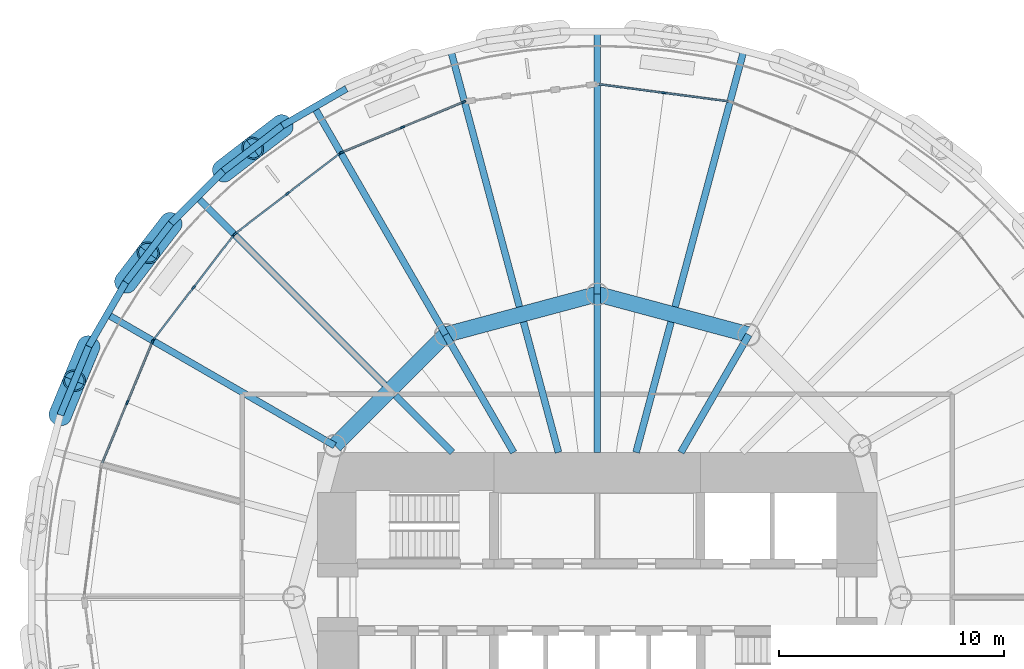
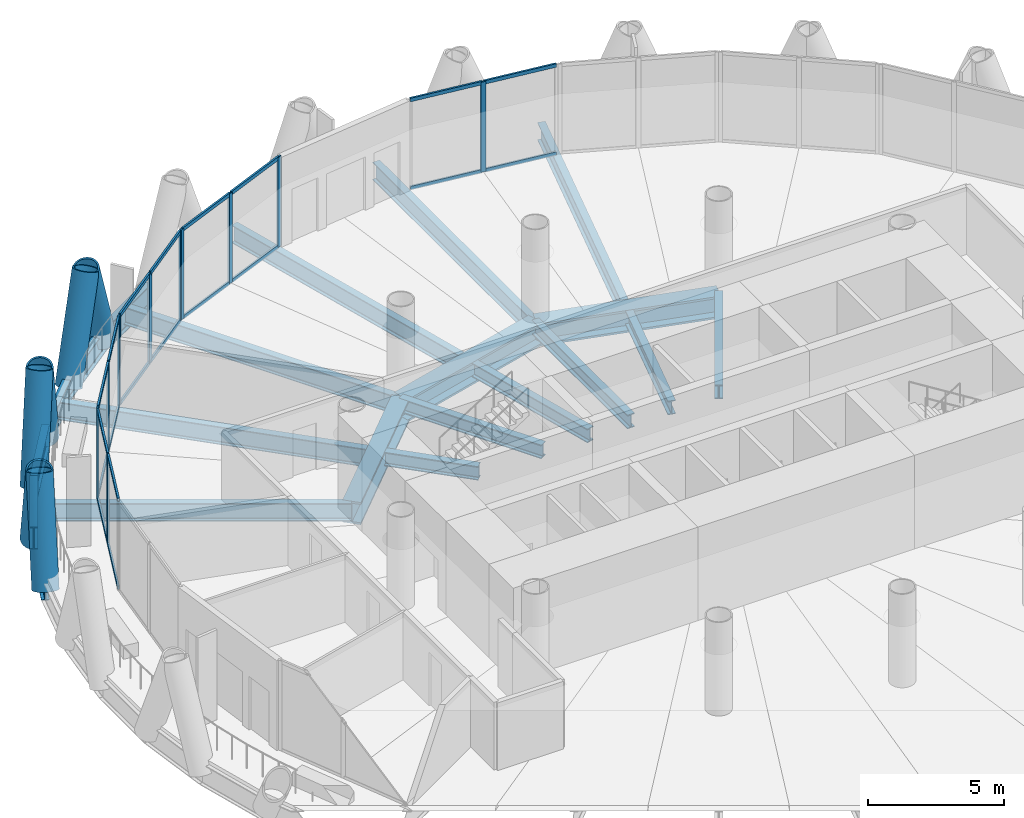
# One storey, part 6 of 15: 38 members, 21 beams, 5 elements without a shape of their own.
"""IFC4 building model written with IfcOpenShell, lengths in metres."""

from ifc_helpers import new_model, si_unit, direction, frame, origin, origin_2d, place, context, subcontext, project, spatial, rectangle, hollow_circle, i_section, extrude, material, material_profile, profile_set, type_object, element, aggregate, save


model = new_model("IFC4")

# Units and contexts
model_context = context("Model", 3, precision=1e-05, world=origin(), true_north=direction((0.0, 1.0)))
body_context = subcontext(model_context, "Body", "Model", "MODEL_VIEW")
ifc_project = project(units=[si_unit("LENGTHUNIT", "METRE"), si_unit("AREAUNIT", "SQUARE_METRE"), si_unit("VOLUMEUNIT", "CUBIC_METRE"), si_unit("PLANEANGLEUNIT", "RADIAN"), si_unit("MASSUNIT", "GRAM", prefix="KILO")], contexts=[model_context])

# Site, building, storey
site_placement = place(None, origin())
site = spatial("IfcSite", under=ifc_project, at=site_placement, CompositionType="ELEMENT")
building_placement = place(site_placement, origin())
building = spatial("IfcBuilding", under=site, at=building_placement, Name="Qaws Media Tower", CompositionType="ELEMENT")
storey_placement = place(building_placement, frame((0.0, 0.0, 114.199951171875)))
storey = spatial("IfcBuildingStorey", under=building, at=storey_placement, Name="L25", CompositionType="ELEMENT", Elevation=114.199951171875)

# Curtain wall, member
ifc_material_1 = material(Name="Aluminium and clear glass", Category="aluminium")
curtain_wall_type = type_object("IfcCurtainWallType", Name="Unitised curtain wall CW-B", PredefinedType="NOTDEFINED", material=ifc_material_1)
curtain_wall_1_placement = place(storey_placement, origin())
curtain_wall_1 = element("IfcCurtainWall", 1, at=curtain_wall_1_placement, inside=storey, type_object=curtain_wall_type, Name="CWB curtain wall L25-06", PredefinedType="NOTDEFINED")
ifc_material_2 = material(Name="Aluminium mullion", Category="aluminium")
ifc_material_profile_1 = material_profile(ifc_material_2, rectangle(XDim=0.080078125, YDim=0.199951171875, at=origin_2d()), Name="80x200")
ifc_profile_set_1 = profile_set([ifc_material_profile_1], Name="Aluminium mullion")
member_type_1 = type_object("IfcMemberType", Name="Curtain wall mullion 80x200", PredefinedType="MULLION", material=ifc_profile_set_1)
member_1_placement = place(storey_placement, frame((62.95703125, 72.460693359375, 0.0), z_axis=(0.0, 0.0, 1.0), x_axis=(-0.130526217674, -0.991444858023, 0.0)))
member_1 = element("IfcMember", 2, at=member_1_placement, type_object=member_type_1, Name="CWB mullion 2", PredefinedType="MULLION", context=body_context, shape_type="SweptSolid", body=[
    extrude(rectangle(XDim=0.080078125, YDim=0.199951171875, at=origin_2d()), origin(), (0.0, 0.0, 1.0), 4.0400390625),
])

# Curtain wall, members
curtain_wall_2_placement = place(storey_placement, origin())
curtain_wall_2 = element("IfcCurtainWall", 3, at=curtain_wall_2_placement, inside=storey, type_object=curtain_wall_type, Name="CWB curtain wall L25-08", PredefinedType="NOTDEFINED")
member_2_placement = place(storey_placement, frame((54.049072265625, 72.05615234375, 0.0), z_axis=(0.0, 0.0, 1.0), x_axis=(0.382683471145, -0.923879516448, 0.0)))
member_2 = element("IfcMember", 4, at=member_2_placement, type_object=member_type_1, Name="CWB mullion 1", PredefinedType="MULLION", context=body_context, shape_type="SweptSolid", body=[
    extrude(rectangle(XDim=0.080078125, YDim=0.199951171875, at=origin_2d()), origin(), (0.0, 0.0, 1.0), 4.0400390625),
])
member_3_placement = place(storey_placement, frame((51.33056640625, 70.929931640625, 0.0), z_axis=(0.0, 0.0, 1.0), x_axis=(0.382683471145, -0.923879516448, 0.0)))
member_3 = element("IfcMember", 5, at=member_3_placement, type_object=member_type_1, Name="CWB mullion 2", PredefinedType="MULLION", context=body_context, shape_type="SweptSolid", body=[
    extrude(rectangle(XDim=0.080078125, YDim=0.199951171875, at=origin_2d()), origin(), (0.0, 0.0, 1.0), 4.0400390625),
])
member_4_placement = place(storey_placement, frame((48.612060546875, 69.803955078125, 0.0), z_axis=(0.0, 0.0, 1.0), x_axis=(0.382683471145, -0.923879516448, 0.0)))
member_4 = element("IfcMember", 6, at=member_4_placement, type_object=member_type_1, Name="CWB mullion 3", PredefinedType="MULLION", context=body_context, shape_type="SweptSolid", body=[
    extrude(rectangle(XDim=0.080078125, YDim=0.199951171875, at=origin_2d()), origin(), (0.0, 0.0, 1.0), 4.0400390625),
])

curtain_wall_3_placement = place(storey_placement, origin())
curtain_wall_3 = element("IfcCurtainWall", 7, at=curtain_wall_3_placement, inside=storey, type_object=curtain_wall_type, Name="CWB curtain wall L25-09", PredefinedType="NOTDEFINED")
member_5_placement = place(storey_placement, frame((48.543212890625, 69.764404296875, 0.0), z_axis=(0.0, 0.0, 1.0), x_axis=(0.608761369427, -0.79335338601, 0.0)))
member_5 = element("IfcMember", 8, at=member_5_placement, type_object=member_type_1, Name="CWB mullion 1", PredefinedType="MULLION", context=body_context, shape_type="SweptSolid", body=[
    extrude(rectangle(XDim=0.080078125, YDim=0.199951171875, at=origin_2d()), origin(), (0.0, 0.0, 1.0), 4.0400390625),
])
member_6_placement = place(storey_placement, frame((46.208740234375, 67.97314453125, 0.0), z_axis=(0.0, 0.0, 1.0), x_axis=(0.608761369427, -0.79335338601, 0.0)))
member_6 = element("IfcMember", 9, at=member_6_placement, type_object=member_type_1, Name="CWB mullion 2", PredefinedType="MULLION", context=body_context, shape_type="SweptSolid", body=[
    extrude(rectangle(XDim=0.080078125, YDim=0.199951171875, at=origin_2d()), origin(), (0.0, 0.0, 1.0), 4.0400390625),
])
member_7_placement = place(storey_placement, frame((43.874267578125, 66.181640625, 0.0), z_axis=(0.0, 0.0, 1.0), x_axis=(0.608761369427, -0.79335338601, 0.0)))
member_7 = element("IfcMember", 10, at=member_7_placement, type_object=member_type_1, Name="CWB mullion 3", PredefinedType="MULLION", context=body_context, shape_type="SweptSolid", body=[
    extrude(rectangle(XDim=0.080078125, YDim=0.199951171875, at=origin_2d()), origin(), (0.0, 0.0, 1.0), 4.0400390625),
])

curtain_wall_4_placement = place(storey_placement, origin())
curtain_wall_4 = element("IfcCurtainWall", 11, at=curtain_wall_4_placement, inside=storey, type_object=curtain_wall_type, Name="CWB curtain wall L25-10", PredefinedType="NOTDEFINED")
member_8_placement = place(storey_placement, frame((43.818359375, 66.125732421875, 0.0), z_axis=(0.0, 0.0, 1.0), x_axis=(0.79335338601, -0.608761369427, 0.0)))
member_8 = element("IfcMember", 12, at=member_8_placement, type_object=member_type_1, Name="CWB mullion 1", PredefinedType="MULLION", context=body_context, shape_type="SweptSolid", body=[
    extrude(rectangle(XDim=0.080078125, YDim=0.199951171875, at=origin_2d()), origin(), (0.0, 0.0, 1.0), 4.0400390625),
])
member_9_placement = place(storey_placement, frame((42.02685546875, 63.791259765625, 0.0), z_axis=(0.0, 0.0, 1.0), x_axis=(0.79335338601, -0.608761369427, 0.0)))
member_9 = element("IfcMember", 13, at=member_9_placement, type_object=member_type_1, Name="CWB mullion 2", PredefinedType="MULLION", context=body_context, shape_type="SweptSolid", body=[
    extrude(rectangle(XDim=0.080078125, YDim=0.199951171875, at=origin_2d()), origin(), (0.0, 0.0, 1.0), 4.0400390625),
])
member_10_placement = place(storey_placement, frame((40.235595703125, 61.456787109375, 0.0), z_axis=(0.0, 0.0, 1.0), x_axis=(0.79335338601, -0.608761369427, 0.0)))
member_10 = element("IfcMember", 14, at=member_10_placement, type_object=member_type_1, Name="CWB mullion 3", PredefinedType="MULLION", context=body_context, shape_type="SweptSolid", body=[
    extrude(rectangle(XDim=0.080078125, YDim=0.199951171875, at=origin_2d()), origin(), (0.0, 0.0, 1.0), 4.0400390625),
])

curtain_wall_5_placement = place(storey_placement, origin())
curtain_wall_5 = element("IfcCurtainWall", 15, at=curtain_wall_5_placement, inside=storey, type_object=curtain_wall_type, Name="CWB curtain wall L25-11", PredefinedType="NOTDEFINED")
member_11_placement = place(storey_placement, frame((40.196044921875, 61.387939453125, 0.0), z_axis=(0.0, 0.0, 1.0), x_axis=(0.923879516448, -0.382683471145, 0.0)))
member_11 = element("IfcMember", 16, at=member_11_placement, type_object=member_type_1, Name="CWB mullion 1", PredefinedType="MULLION", context=body_context, shape_type="SweptSolid", body=[
    extrude(rectangle(XDim=0.080078125, YDim=0.199951171875, at=origin_2d()), origin(), (0.0, 0.0, 1.0), 4.0400390625),
])
member_12_placement = place(storey_placement, frame((39.070068359375, 58.66943359375, 0.0), z_axis=(0.0, 0.0, 1.0), x_axis=(0.923879516448, -0.382683471145, 0.0)))
member_12 = element("IfcMember", 17, at=member_12_placement, type_object=member_type_1, Name="CWB mullion 2", PredefinedType="MULLION", context=body_context, shape_type="SweptSolid", body=[
    extrude(rectangle(XDim=0.080078125, YDim=0.199951171875, at=origin_2d()), origin(), (0.0, 0.0, 1.0), 4.0400390625),
])

# Member
ifc_material_3 = material(Name="Aluminium transom", Category="aluminium")
ifc_material_profile_2 = material_profile(ifc_material_3, rectangle(XDim=0.080078125, YDim=0.159912109375, at=origin_2d()), Name="80x160")
ifc_profile_set_2 = profile_set([ifc_material_profile_2], Name="Aluminium transom")
member_type_2 = type_object("IfcMemberType", Name="Curtain wall transom 80x160", PredefinedType="USERDEFINED", material=ifc_profile_set_2)
member_13_placement = place(storey_placement, frame((65.834716796875, 72.081787109375, 0.0400390625), z_axis=(-0.991438903663, 0.130571437549, 0.0), x_axis=(-0.130571437549, -0.991438903663, 0.0)))
member_13 = element("IfcMember", 18, at=member_13_placement, type_object=member_type_2, Name="CWB transom 1.1", ObjectType="TRANSOM", PredefinedType="USERDEFINED", context=body_context, shape_type="SweptSolid", body=[
    extrude(rectangle(XDim=0.080078125, YDim=0.159912109375, at=origin_2d()), origin(), (0.0, 0.0, 1.0), 2.862548828125),
])

member_14_placement = place(storey_placement, frame((65.834716796875, 72.081787109375, 4.0), z_axis=(-0.991438903663, 0.130571437549, 0.0), x_axis=(-0.130571437549, -0.991438903663, 0.0)))
member_14 = element("IfcMember", 19, at=member_14_placement, type_object=member_type_2, Name="CWB transom 1.2", ObjectType="TRANSOM", PredefinedType="USERDEFINED", context=body_context, shape_type="SweptSolid", body=[
    extrude(rectangle(XDim=0.080078125, YDim=0.159912109375, at=origin_2d()), origin(), (0.0, 0.0, 1.0), 2.862548828125),
])

member_15_placement = place(storey_placement, frame((62.917236328125, 72.4658203125, 0.0400390625), z_axis=(-0.991437449462, 0.130582478934, 0.0), x_axis=(-0.130582478934, -0.991437449462, 0.0)))
member_15 = element("IfcMember", 20, at=member_15_placement, type_object=member_type_2, Name="CWB transom 2.1", ObjectType="TRANSOM", PredefinedType="USERDEFINED", context=body_context, shape_type="SweptSolid", body=[
    extrude(rectangle(XDim=0.080078125, YDim=0.159912109375, at=origin_2d()), origin(), (0.0, 0.0, 1.0), 2.8623046875),
])

member_16_placement = place(storey_placement, frame((62.917236328125, 72.4658203125, 4.0), z_axis=(-0.991437449462, 0.130582478934, 0.0), x_axis=(-0.130582478934, -0.991437449462, 0.0)))
member_16 = element("IfcMember", 21, at=member_16_placement, type_object=member_type_2, Name="CWB transom 2.2", ObjectType="TRANSOM", PredefinedType="USERDEFINED", context=body_context, shape_type="SweptSolid", body=[
    extrude(rectangle(XDim=0.080078125, YDim=0.159912109375, at=origin_2d()), origin(), (0.0, 0.0, 1.0), 2.8623046875),
])

aggregate(curtain_wall_1, [member_1, member_13, member_14, member_15, member_16])

member_17_placement = place(storey_placement, frame((54.011962890625, 72.040771484375, 0.0400390625), z_axis=(-0.923872334596, -0.382700809207, 0.0), x_axis=(0.382700809207, -0.923872334596, 0.0)))
member_17 = element("IfcMember", 22, at=member_17_placement, type_object=member_type_2, Name="CWB transom 1.1", ObjectType="TRANSOM", PredefinedType="USERDEFINED", context=body_context, shape_type="SweptSolid", body=[
    extrude(rectangle(XDim=0.080078125, YDim=0.159912109375, at=origin_2d()), origin(), (0.0, 0.0, 1.0), 2.862548828125),
])

member_18_placement = place(storey_placement, frame((54.011962890625, 72.040771484375, 4.0), z_axis=(-0.923872334596, -0.382700809207, 0.0), x_axis=(0.382700809207, -0.923872334596, 0.0)))
member_18 = element("IfcMember", 23, at=member_18_placement, type_object=member_type_2, Name="CWB transom 1.2", ObjectType="TRANSOM", PredefinedType="USERDEFINED", context=body_context, shape_type="SweptSolid", body=[
    extrude(rectangle(XDim=0.080078125, YDim=0.159912109375, at=origin_2d()), origin(), (0.0, 0.0, 1.0), 2.862548828125),
])

member_19_placement = place(storey_placement, frame((51.29345703125, 70.914794921875, 0.0400390625), z_axis=(-0.923872334596, -0.382700809207, 0.0), x_axis=(0.382700809207, -0.923872334596, 0.0)))
member_19 = element("IfcMember", 24, at=member_19_placement, type_object=member_type_2, Name="CWB transom 2.1", ObjectType="TRANSOM", PredefinedType="USERDEFINED", context=body_context, shape_type="SweptSolid", body=[
    extrude(rectangle(XDim=0.080078125, YDim=0.159912109375, at=origin_2d()), origin(), (0.0, 0.0, 1.0), 2.862548828125),
])

member_20_placement = place(storey_placement, frame((51.29345703125, 70.914794921875, 4.0), z_axis=(-0.923872334596, -0.382700809207, 0.0), x_axis=(0.382700809207, -0.923872334596, 0.0)))
member_20 = element("IfcMember", 25, at=member_20_placement, type_object=member_type_2, Name="CWB transom 2.2", ObjectType="TRANSOM", PredefinedType="USERDEFINED", context=body_context, shape_type="SweptSolid", body=[
    extrude(rectangle(XDim=0.080078125, YDim=0.159912109375, at=origin_2d()), origin(), (0.0, 0.0, 1.0), 2.862548828125),
])

aggregate(curtain_wall_2, [member_2, member_3, member_4, member_17, member_18, member_19, member_20])

member_21_placement = place(storey_placement, frame((48.511474609375, 69.739990234375, 0.0400390625), z_axis=(-0.793339979648, -0.608778840543, 0.0), x_axis=(0.608778840543, -0.793339979648, 0.0)))
member_21 = element("IfcMember", 26, at=member_21_placement, type_object=member_type_2, Name="CWB transom 1.1", ObjectType="TRANSOM", PredefinedType="USERDEFINED", context=body_context, shape_type="SweptSolid", body=[
    extrude(rectangle(XDim=0.080078125, YDim=0.159912109375, at=origin_2d()), origin(), (0.0, 0.0, 1.0), 2.862548828125),
])

member_22_placement = place(storey_placement, frame((48.511474609375, 69.739990234375, 4.0), z_axis=(-0.793339979648, -0.608778840543, 0.0), x_axis=(0.608778840543, -0.793339979648, 0.0)))
member_22 = element("IfcMember", 27, at=member_22_placement, type_object=member_type_2, Name="CWB transom 1.2", ObjectType="TRANSOM", PredefinedType="USERDEFINED", context=body_context, shape_type="SweptSolid", body=[
    extrude(rectangle(XDim=0.080078125, YDim=0.159912109375, at=origin_2d()), origin(), (0.0, 0.0, 1.0), 2.862548828125),
])

member_23_placement = place(storey_placement, frame((46.177001953125, 67.94873046875, 0.0400390625), z_axis=(-0.793339979648, -0.608778840543, 0.0), x_axis=(0.608778840543, -0.793339979648, 0.0)))
member_23 = element("IfcMember", 28, at=member_23_placement, type_object=member_type_2, Name="CWB transom 2.1", ObjectType="TRANSOM", PredefinedType="USERDEFINED", context=body_context, shape_type="SweptSolid", body=[
    extrude(rectangle(XDim=0.080078125, YDim=0.159912109375, at=origin_2d()), origin(), (0.0, 0.0, 1.0), 2.862548828125),
])

member_24_placement = place(storey_placement, frame((46.177001953125, 67.94873046875, 4.0), z_axis=(-0.793339979648, -0.608778840543, 0.0), x_axis=(0.608778840543, -0.793339979648, 0.0)))
member_24 = element("IfcMember", 29, at=member_24_placement, type_object=member_type_2, Name="CWB transom 2.2", ObjectType="TRANSOM", PredefinedType="USERDEFINED", context=body_context, shape_type="SweptSolid", body=[
    extrude(rectangle(XDim=0.080078125, YDim=0.159912109375, at=origin_2d()), origin(), (0.0, 0.0, 1.0), 2.862548828125),
])

aggregate(curtain_wall_3, [member_5, member_6, member_7, member_21, member_22, member_23, member_24])

member_25_placement = place(storey_placement, frame((43.7939453125, 66.093994140625, 0.0400390625), z_axis=(-0.608778840543, -0.793339979648, 0.0), x_axis=(0.793339979648, -0.608778840543, 0.0)))
member_25 = element("IfcMember", 30, at=member_25_placement, type_object=member_type_2, Name="CWB transom 1.1", ObjectType="TRANSOM", PredefinedType="USERDEFINED", context=body_context, shape_type="SweptSolid", body=[
    extrude(rectangle(XDim=0.080078125, YDim=0.159912109375, at=origin_2d()), origin(), (0.0, 0.0, 1.0), 2.862548828125),
])

member_26_placement = place(storey_placement, frame((43.7939453125, 66.093994140625, 4.0), z_axis=(-0.608778840543, -0.793339979648, 0.0), x_axis=(0.793339979648, -0.608778840543, 0.0)))
member_26 = element("IfcMember", 31, at=member_26_placement, type_object=member_type_2, Name="CWB transom 1.2", ObjectType="TRANSOM", PredefinedType="USERDEFINED", context=body_context, shape_type="SweptSolid", body=[
    extrude(rectangle(XDim=0.080078125, YDim=0.159912109375, at=origin_2d()), origin(), (0.0, 0.0, 1.0), 2.862548828125),
])

member_27_placement = place(storey_placement, frame((42.002685546875, 63.759521484375, 0.0400390625), z_axis=(-0.608778840543, -0.793339979648, 0.0), x_axis=(0.793339979648, -0.608778840543, 0.0)))
member_27 = element("IfcMember", 32, at=member_27_placement, type_object=member_type_2, Name="CWB transom 2.1", ObjectType="TRANSOM", PredefinedType="USERDEFINED", context=body_context, shape_type="SweptSolid", body=[
    extrude(rectangle(XDim=0.080078125, YDim=0.159912109375, at=origin_2d()), origin(), (0.0, 0.0, 1.0), 2.862548828125),
])

member_28_placement = place(storey_placement, frame((42.002685546875, 63.759521484375, 4.0), z_axis=(-0.608778840543, -0.793339979648, 0.0), x_axis=(0.793339979648, -0.608778840543, 0.0)))
member_28 = element("IfcMember", 33, at=member_28_placement, type_object=member_type_2, Name="CWB transom 2.2", ObjectType="TRANSOM", PredefinedType="USERDEFINED", context=body_context, shape_type="SweptSolid", body=[
    extrude(rectangle(XDim=0.080078125, YDim=0.159912109375, at=origin_2d()), origin(), (0.0, 0.0, 1.0), 2.862548828125),
])

aggregate(curtain_wall_4, [member_8, member_9, member_10, member_25, member_26, member_27, member_28])

member_29_placement = place(storey_placement, frame((40.1806640625, 61.35107421875, 0.0400390625), z_axis=(-0.382700809207, -0.923872334596, 0.0), x_axis=(0.923872334596, -0.382700809207, 0.0)))
member_29 = element("IfcMember", 34, at=member_29_placement, type_object=member_type_2, Name="CWB transom 1.1", ObjectType="TRANSOM", PredefinedType="USERDEFINED", context=body_context, shape_type="SweptSolid", body=[
    extrude(rectangle(XDim=0.080078125, YDim=0.159912109375, at=origin_2d()), origin(), (0.0, 0.0, 1.0), 2.862548828125),
])

member_30_placement = place(storey_placement, frame((40.1806640625, 61.35107421875, 4.0), z_axis=(-0.382700809207, -0.923872334596, 0.0), x_axis=(0.923872334596, -0.382700809207, 0.0)))
member_30 = element("IfcMember", 35, at=member_30_placement, type_object=member_type_2, Name="CWB transom 1.2", ObjectType="TRANSOM", PredefinedType="USERDEFINED", context=body_context, shape_type="SweptSolid", body=[
    extrude(rectangle(XDim=0.080078125, YDim=0.159912109375, at=origin_2d()), origin(), (0.0, 0.0, 1.0), 2.862548828125),
])

member_31_placement = place(storey_placement, frame((39.0546875, 58.632568359375, 0.0400390625), z_axis=(-0.382700809207, -0.923872334596, 0.0), x_axis=(0.923872334596, -0.382700809207, 0.0)))
member_31 = element("IfcMember", 36, at=member_31_placement, type_object=member_type_2, Name="CWB transom 2.1", ObjectType="TRANSOM", PredefinedType="USERDEFINED", context=body_context, shape_type="SweptSolid", body=[
    extrude(rectangle(XDim=0.080078125, YDim=0.159912109375, at=origin_2d()), origin(), (0.0, 0.0, 1.0), 2.862548828125),
])

member_32_placement = place(storey_placement, frame((39.0546875, 58.632568359375, 4.0), z_axis=(-0.382700809207, -0.923872334596, 0.0), x_axis=(0.923872334596, -0.382700809207, 0.0)))
member_32 = element("IfcMember", 37, at=member_32_placement, type_object=member_type_2, Name="CWB transom 2.2", ObjectType="TRANSOM", PredefinedType="USERDEFINED", context=body_context, shape_type="SweptSolid", body=[
    extrude(rectangle(XDim=0.080078125, YDim=0.159912109375, at=origin_2d()), origin(), (0.0, 0.0, 1.0), 2.862548828125),
])

aggregate(curtain_wall_5, [member_11, member_12, member_29, member_30, member_31, member_32])

# Members
ifc_material_4 = material(Name="Steel S460", Category="steel")
ifc_material_profile_3 = material_profile(ifc_material_4, hollow_circle(Radius=0.508056640625, WallThickness=0.070068359375, at=origin_2d()), Name="CHS 1016x70")
ifc_profile_set_3 = profile_set([ifc_material_profile_3], Name="Steel S460")
member_type_3 = type_object("IfcMemberType", Name="Diagrid member CHS 1016x70", PredefinedType="USERDEFINED", material=ifc_profile_set_3)
for number, where, z_axis, x_axis, name in (
    (38, (45.971923828125, 70.99462890625, -0.6640625), (-0.290865116698, -0.22205715158, 0.930638547085), (0.606813434489, -0.794844296528, 0.0), "DG3 diagrid L25 A09"),
    (39, (41.01611328125, 66.6484375, -0.6640625), (-0.223467284253, -0.289733908124, 0.930653875161), (0.791837409053, -0.610731952352, 0.0), "DG3 diagrid L25 A10"),
    (40, (43.3515625, 68.98388671875, -0.6640625), (0.289733908124, 0.223467284253, 0.930653875161), (-0.610731952352, 0.791837409053, 0.0), "DG3 diagrid L25 B10"),
    (41, (37.35400390625, 61.167724609375, -0.6640625), (-0.140863091213, -0.337714392643, 0.930648472054), (0.922932522348, -0.384961763286, 0.0), "DG3 diagrid L25 A11"),
    (42, (39.00537109375, 64.028076171875, -0.6640625), (0.22205715158, 0.290865116698, 0.930638547085), (-0.794844296528, 0.606813434489, 0.0), "DG3 diagrid L25 B11"),
    (43, (36.090087890625, 58.116455078125, -0.6640625), (0.139188290236, 0.338368735106, 0.930662784774), (-0.924812769409, 0.380422582844, 0.0), "DG3 diagrid L25 B12"),
):
    element("IfcMember", number, at=place(storey_placement, frame(where, z_axis=z_axis, x_axis=x_axis)), inside=storey, type_object=member_type_3, Name=name, ObjectType="DIAGRID", PredefinedType="USERDEFINED", context=body_context, shape_type="SweptSolid", body=[
        extrude(hollow_circle(Radius=0.508056640625, WallThickness=0.070068359375, at=origin_2d()), origin(), (0.0, 0.0, 1.0), 4.51318359375),
    ])

# Beams
ifc_material_5 = material(Name="Steel S460", Category="steel")
ifc_material_profile_4 = material_profile(ifc_material_5, i_section(OverallWidth=0.302001953125, OverallDepth=1.008056640625, WebThickness=0.02099609375, FlangeThickness=0.0400390625, FilletRadius=0.030029296875, at=origin_2d()), Name="HE 1000 M")
ifc_profile_set_4 = profile_set([ifc_material_profile_4], Name="Steel S460")
beam_type_1 = type_object("IfcBeamType", Name="Edge ring beam HE 1000 M", PredefinedType="BEAM", material=ifc_profile_set_4)
beam_1_placement = place(storey_placement, frame((48.832275390625, 72.64599609375, -0.6640625), z_axis=(-0.866032949645, -0.499986929959, 0.0), x_axis=(0.499986929959, -0.866032949645, 0.0)))
element("IfcBeam", 44, at=beam_1_placement, inside=storey, type_object=beam_type_1, Name="RB3 edge ring beam L25-16", PredefinedType="BEAM", context=body_context, shape_type="SweptSolid", body=[
    extrude(i_section(OverallWidth=0.302001953125, OverallDepth=1.008056640625, WebThickness=0.02099609375, FlangeThickness=0.0400390625, FilletRadius=0.030029296875, at=origin_2d()), origin(), (0.0, 0.0, 1.0), 3.302734375),
])
beam_2_placement = place(storey_placement, frame((45.971923828125, 70.99462890625, -0.6640625), z_axis=(-0.793343364577, -0.608774429392, 0.0), x_axis=(0.608774429392, -0.793343364577, 0.0)))
element("IfcBeam", 45, at=beam_2_placement, inside=storey, type_object=beam_type_1, Name="RB3 edge ring beam L25-17", PredefinedType="BEAM", context=body_context, shape_type="SweptSolid", body=[
    extrude(i_section(OverallWidth=0.302001953125, OverallDepth=1.008056640625, WebThickness=0.02099609375, FlangeThickness=0.0400390625, FilletRadius=0.030029296875, at=origin_2d()), origin(), (0.0, 0.0, 1.0), 3.302978515625),
])
beam_3_placement = place(storey_placement, frame((43.3515625, 68.98388671875, -0.6640625), z_axis=(-0.707106781187, -0.707106781187, 0.0), x_axis=(0.707106781187, -0.707106781187, 0.0)))
element("IfcBeam", 46, at=beam_3_placement, inside=storey, type_object=beam_type_1, Name="RB3 edge ring beam L25-18", PredefinedType="BEAM", context=body_context, shape_type="SweptSolid", body=[
    extrude(i_section(OverallWidth=0.302001953125, OverallDepth=1.008056640625, WebThickness=0.02099609375, FlangeThickness=0.0400390625, FilletRadius=0.030029296875, at=origin_2d()), origin(), (0.0, 0.0, 1.0), 3.302734375),
])
beam_4_placement = place(storey_placement, frame((41.01611328125, 66.6484375, -0.6640625), z_axis=(-0.608774429392, -0.793343364577, 0.0), x_axis=(0.793343364577, -0.608774429392, 0.0)))
element("IfcBeam", 47, at=beam_4_placement, inside=storey, type_object=beam_type_1, Name="RB3 edge ring beam L25-19", PredefinedType="BEAM", context=body_context, shape_type="SweptSolid", body=[
    extrude(i_section(OverallWidth=0.302001953125, OverallDepth=1.008056640625, WebThickness=0.02099609375, FlangeThickness=0.0400390625, FilletRadius=0.030029296875, at=origin_2d()), origin(), (0.0, 0.0, 1.0), 3.302978515625),
])
for number, where, z_axis, x_axis, name in (
    (48, (39.00537109375, 64.028076171875, -0.6640625), (-0.499986929959, -0.866032949645, 0.0), (0.866032949645, -0.499986929959, 0.0), "RB3 edge ring beam L25-20"),
    (49, (37.35400390625, 61.167724609375, -0.6640625), (-0.382693458177, -0.92387537962, 0.0), (0.92387537962, -0.382693458177, 0.0), "RB3 edge ring beam L25-21"),
):
    element("IfcBeam", number, at=place(storey_placement, frame(where, z_axis=z_axis, x_axis=x_axis)), inside=storey, type_object=beam_type_1, Name=name, PredefinedType="BEAM", context=body_context, shape_type="SweptSolid", body=[
        extrude(i_section(OverallWidth=0.302001953125, OverallDepth=1.008056640625, WebThickness=0.02099609375, FlangeThickness=0.0400390625, FilletRadius=0.030029296875, at=origin_2d()), origin(), (0.0, 0.0, 1.0), 3.302734375),
    ])
ifc_material_6 = material(Name="Steel S460", Category="steel")
ifc_material_profile_5 = material_profile(ifc_material_6, i_section(OverallWidth=0.699951171875, OverallDepth=1.0, WebThickness=0.034912109375, FlangeThickness=0.090087890625, at=origin_2d()), Name="PG 1000x700")
ifc_profile_set_5 = profile_set([ifc_material_profile_5], Name="Steel S460")
beam_type_2 = type_object("IfcBeamType", Name="Inner ring girder PG 1000x700", PredefinedType="BEAM", material=ifc_profile_set_5)
for number, where, z_axis, x_axis, name in (
    (50, (66.75, 61.69140625, -0.659912109375), (-0.965928090778, 0.258810593767, 0.0), (-0.258810593767, -0.965928090778, 0.0), "B3 inner ring beam L25 I03-I04"),
    (51, (60.0, 63.5, -0.659912109375), (-0.965928090778, -0.258810593767, 0.0), (0.258810593767, -0.965928090778, 0.0), "B3 inner ring beam L25 I04-I05"),
):
    element("IfcBeam", number, at=place(storey_placement, frame(where, z_axis=z_axis, x_axis=x_axis)), inside=storey, type_object=beam_type_2, Name=name, PredefinedType="BEAM", context=body_context, shape_type="SweptSolid", body=[
        extrude(i_section(OverallWidth=0.699951171875, OverallDepth=1.0, WebThickness=0.034912109375, FlangeThickness=0.090087890625, at=origin_2d()), origin(), (0.0, 0.0, 1.0), 6.988037109375),
    ])
beam_5_placement = place(storey_placement, frame((53.25, 61.69140625, -0.659912109375), z_axis=(-0.707106781187, -0.707106781187, 0.0), x_axis=(0.707106781187, -0.707106781187, 0.0)))
element("IfcBeam", 52, at=beam_5_placement, inside=storey, type_object=beam_type_2, Name="B3 inner ring beam L25 I05-I06", PredefinedType="BEAM", context=body_context, shape_type="SweptSolid", body=[
    extrude(i_section(OverallWidth=0.699951171875, OverallDepth=1.0, WebThickness=0.034912109375, FlangeThickness=0.090087890625, at=origin_2d()), origin(), (0.0, 0.0, 1.0), 6.98828125),
])
ifc_material_7 = material(Name="Steel S355", Category="steel")
ifc_material_profile_6 = material_profile(ifc_material_7, i_section(OverallWidth=0.304931640625, OverallDepth=0.6201171875, WebThickness=0.02099609375, FlangeThickness=0.0400390625, FilletRadius=0.027099609375, at=origin_2d()), Name="HE 600 M")
ifc_profile_set_6 = profile_set([ifc_material_profile_6], Name="Steel S355")
beam_type_3 = type_object("IfcBeamType", Name="Radial beam HE 600 M, core side", PredefinedType="BEAM", material=ifc_profile_set_6)
beam_6_placement = place(storey_placement, frame((63.723876953125, 56.449951171875, -0.469970703125), z_axis=(0.499995978368, 0.866027725662, 0.0), x_axis=(-0.866027725662, 0.499995978368, 0.0)))
element("IfcBeam", 53, at=beam_6_placement, inside=storey, type_object=beam_type_3, Name="B2 radial beam L25 05", PredefinedType="BEAM", context=body_context, shape_type="SweptSolid", body=[
    extrude(i_section(OverallWidth=0.304931640625, OverallDepth=0.6201171875, WebThickness=0.02099609375, FlangeThickness=0.0400390625, FilletRadius=0.027099609375, at=origin_2d()), origin(), (0.0, 0.0, 1.0), 6.05224609375),
])
beam_7_placement = place(storey_placement, frame((61.728271484375, 56.449951171875, -0.469970703125), z_axis=(0.258819977482, 0.965925576458, 0.0), x_axis=(-0.965925576458, 0.258819977482, 0.0)))
element("IfcBeam", 54, at=beam_7_placement, inside=storey, type_object=beam_type_3, Name="B2 radial beam L25 06", PredefinedType="BEAM", context=body_context, shape_type="SweptSolid", body=[
    extrude(i_section(OverallWidth=0.304931640625, OverallDepth=0.6201171875, WebThickness=0.02099609375, FlangeThickness=0.0400390625, FilletRadius=0.027099609375, at=origin_2d()), origin(), (0.0, 0.0, 1.0), 6.012451171875),
])
beam_8_placement = place(storey_placement, frame((60.0, 56.449951171875, -0.469970703125), z_axis=(0.0, 1.0, 0.0), x_axis=(-1.0, 0.0, 0.0)))
element("IfcBeam", 55, at=beam_8_placement, inside=storey, type_object=beam_type_3, Name="B2 radial beam L25 07", PredefinedType="BEAM", context=body_context, shape_type="SweptSolid", body=[
    extrude(i_section(OverallWidth=0.304931640625, OverallDepth=0.6201171875, WebThickness=0.02099609375, FlangeThickness=0.0400390625, FilletRadius=0.027099609375, at=origin_2d()), origin(), (0.0, 0.0, 1.0), 7.050048828125),
])
beam_9_placement = place(storey_placement, frame((58.271728515625, 56.449951171875, -0.469970703125), z_axis=(-0.258819977482, 0.965925576458, 0.0), x_axis=(-0.965925576458, -0.258819977482, 0.0)))
element("IfcBeam", 56, at=beam_9_placement, inside=storey, type_object=beam_type_3, Name="B2 radial beam L25 08", PredefinedType="BEAM", context=body_context, shape_type="SweptSolid", body=[
    extrude(i_section(OverallWidth=0.304931640625, OverallDepth=0.6201171875, WebThickness=0.02099609375, FlangeThickness=0.0400390625, FilletRadius=0.027099609375, at=origin_2d()), origin(), (0.0, 0.0, 1.0), 6.012451171875),
])
beam_10_placement = place(storey_placement, frame((56.276123046875, 56.449951171875, -0.469970703125), z_axis=(-0.499995978368, 0.866027725662, 0.0), x_axis=(-0.866027725662, -0.499995978368, 0.0)))
element("IfcBeam", 57, at=beam_10_placement, inside=storey, type_object=beam_type_3, Name="B2 radial beam L25 09", PredefinedType="BEAM", context=body_context, shape_type="SweptSolid", body=[
    extrude(i_section(OverallWidth=0.304931640625, OverallDepth=0.6201171875, WebThickness=0.02099609375, FlangeThickness=0.0400390625, FilletRadius=0.027099609375, at=origin_2d()), origin(), (0.0, 0.0, 1.0), 6.05224609375),
])
beam_11_placement = place(storey_placement, frame((53.550048828125, 56.449951171875, -0.469970703125), z_axis=(-0.707106781187, 0.707106781187, 0.0), x_axis=(-0.707106781187, -0.707106781187, 0.0)))
element("IfcBeam", 58, at=beam_11_placement, inside=storey, type_object=beam_type_3, Name="B2 radial beam L25 10", PredefinedType="BEAM", context=body_context, shape_type="SweptSolid", body=[
    extrude(i_section(OverallWidth=0.304931640625, OverallDepth=0.6201171875, WebThickness=0.02099609375, FlangeThickness=0.0400390625, FilletRadius=0.027099609375, at=origin_2d()), origin(), (0.0, 0.0, 1.0), 3.568359375),
])
ifc_material_8 = material(Name="Steel S355", Category="steel")
ifc_material_profile_7 = material_profile(ifc_material_8, i_section(OverallWidth=0.300048828125, OverallDepth=0.800048828125, WebThickness=0.017578125, FlangeThickness=0.032958984375, FilletRadius=0.030029296875, at=origin_2d()), Name="HE 800 B")
ifc_profile_set_7 = profile_set([ifc_material_profile_7], Name="Steel S355")
beam_type_4 = type_object("IfcBeamType", Name="Radial beam HE 800 B", PredefinedType="BEAM", material=ifc_profile_set_7)
beam_12_placement = place(storey_placement, frame((63.465576171875, 62.933837890625, -0.56005859375), z_axis=(0.258826013647, 0.965923959046, 0.0), x_axis=(-0.965923959046, 0.258826013647, 0.0)))
element("IfcBeam", 59, at=beam_12_placement, inside=storey, type_object=beam_type_4, Name="B1 radial beam L25 06", PredefinedType="BEAM", context=body_context, shape_type="SweptSolid", body=[
    extrude(i_section(OverallWidth=0.300048828125, OverallDepth=0.800048828125, WebThickness=0.017578125, FlangeThickness=0.032958984375, FilletRadius=0.030029296875, at=origin_2d()), origin(), (0.0, 0.0, 1.0), 11.805908203125),
])
beam_13_placement = place(storey_placement, frame((60.0, 63.5, -0.56005859375), z_axis=(0.0, 1.0, 0.0), x_axis=(-1.0, 0.0, 0.0)))
element("IfcBeam", 60, at=beam_13_placement, inside=storey, type_object=beam_type_4, Name="B1 radial beam L25 07", PredefinedType="BEAM", context=body_context, shape_type="SweptSolid", body=[
    extrude(i_section(OverallWidth=0.300048828125, OverallDepth=0.800048828125, WebThickness=0.017578125, FlangeThickness=0.032958984375, FilletRadius=0.030029296875, at=origin_2d()), origin(), (0.0, 0.0, 1.0), 11.696044921875),
])
beam_14_placement = place(storey_placement, frame((56.534423828125, 62.933837890625, -0.56005859375), z_axis=(-0.258826013647, 0.965923959046, 0.0), x_axis=(-0.965923959046, -0.258826013647, 0.0)))
element("IfcBeam", 61, at=beam_14_placement, inside=storey, type_object=beam_type_4, Name="B1 radial beam L25 08", PredefinedType="BEAM", context=body_context, shape_type="SweptSolid", body=[
    extrude(i_section(OverallWidth=0.300048828125, OverallDepth=0.800048828125, WebThickness=0.017578125, FlangeThickness=0.032958984375, FilletRadius=0.030029296875, at=origin_2d()), origin(), (0.0, 0.0, 1.0), 11.805908203125),
])
beam_15_placement = place(storey_placement, frame((53.25, 61.69140625, -0.56005859375), z_axis=(-0.499998309692, 0.866026379682, 0.0), x_axis=(-0.866026379682, -0.499998309692, 0.0)))
element("IfcBeam", 62, at=beam_15_placement, inside=storey, type_object=beam_type_4, Name="B1 radial beam L25 09", PredefinedType="BEAM", context=body_context, shape_type="SweptSolid", body=[
    extrude(i_section(OverallWidth=0.300048828125, OverallDepth=0.800048828125, WebThickness=0.017578125, FlangeThickness=0.032958984375, FilletRadius=0.030029296875, at=origin_2d()), origin(), (0.0, 0.0, 1.0), 11.69580078125),
])
beam_16_placement = place(storey_placement, frame((50.53173828125, 59.46826171875, -0.56005859375), z_axis=(-0.707106781187, 0.707106781187, 0.0), x_axis=(-0.707106781187, -0.707106781187, 0.0)))
element("IfcBeam", 63, at=beam_16_placement, inside=storey, type_object=beam_type_4, Name="B1 radial beam L25 10", PredefinedType="BEAM", context=body_context, shape_type="SweptSolid", body=[
    extrude(i_section(OverallWidth=0.300048828125, OverallDepth=0.800048828125, WebThickness=0.017578125, FlangeThickness=0.032958984375, FilletRadius=0.030029296875, at=origin_2d()), origin(), (0.0, 0.0, 1.0), 11.8056640625),
])
beam_17_placement = place(storey_placement, frame((48.30859375, 56.75, -0.56005859375), z_axis=(-0.866026379682, 0.499998309692, 0.0), x_axis=(-0.499998309692, -0.866026379682, 0.0)))
element("IfcBeam", 64, at=beam_17_placement, inside=storey, type_object=beam_type_4, Name="B1 radial beam L25 11", PredefinedType="BEAM", context=body_context, shape_type="SweptSolid", body=[
    extrude(i_section(OverallWidth=0.300048828125, OverallDepth=0.800048828125, WebThickness=0.017578125, FlangeThickness=0.032958984375, FilletRadius=0.030029296875, at=origin_2d()), origin(), (0.0, 0.0, 1.0), 11.69580078125),
])

save(model, "model.ifc")
